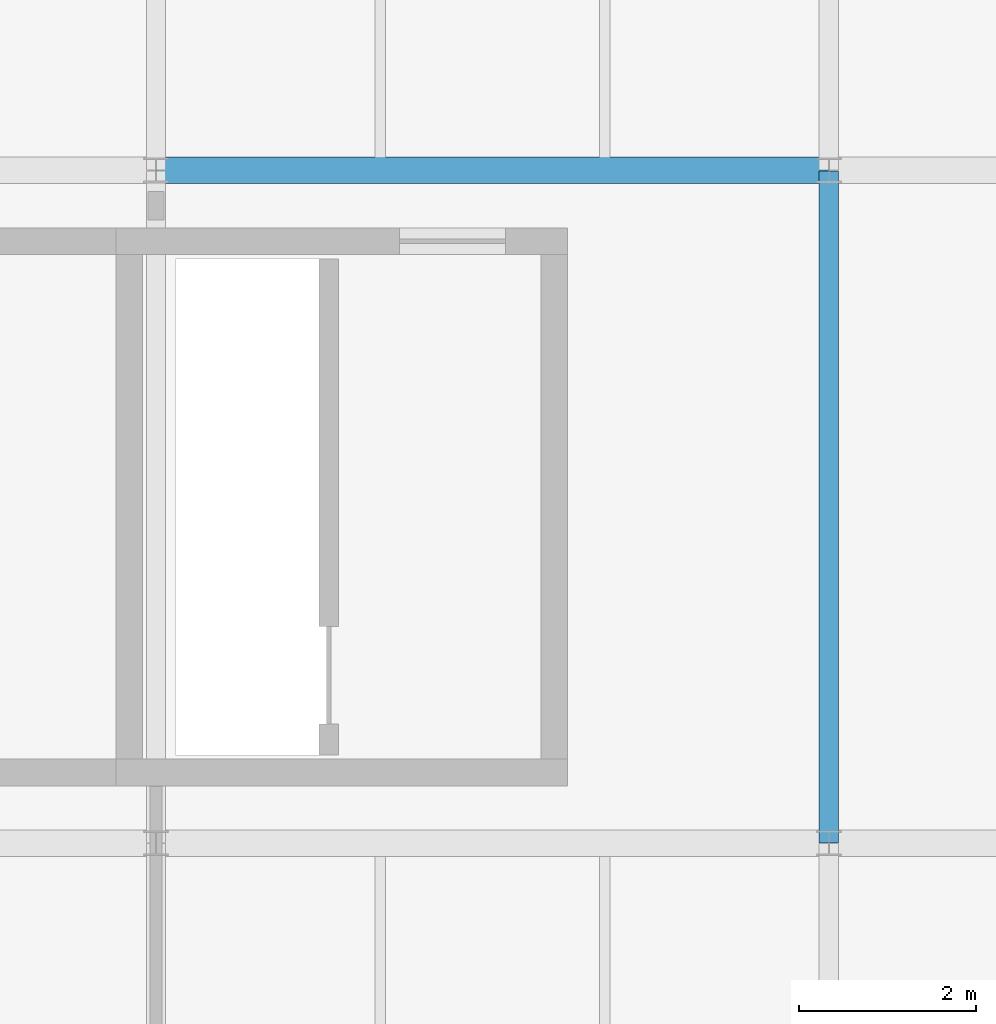
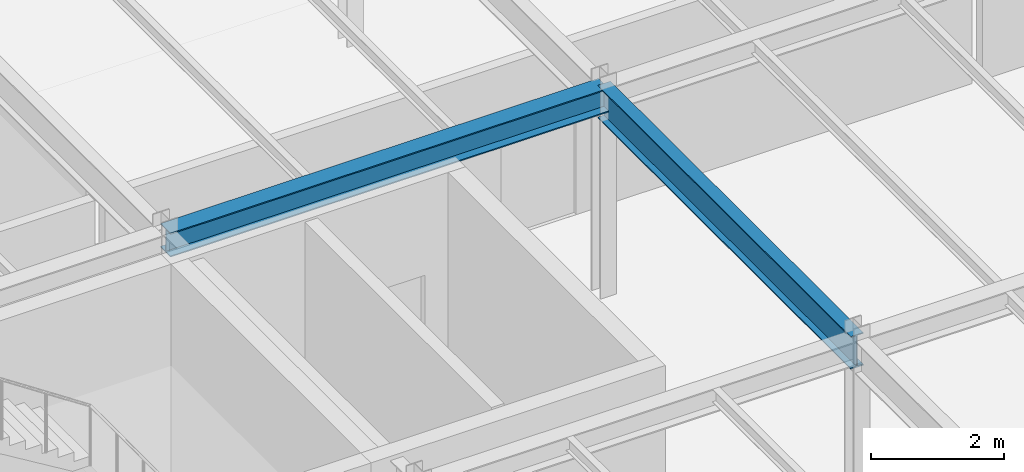
# One storey, part 27 of 165: 2 beams.
"""IFC4 building model written with IfcOpenShell, lengths in metres."""

import ifcopenshell
import ifcopenshell.guid

model = None  # the IFC model being written
_history = None  # IfcOwnerHistory: only IFC2X3 demands one
_inside = {}  # id of a spatial element -> (the spatial element, [elements in it])
_under = {}  # id of a project, library or spatial element -> (it, [spatial elements below it])
_declared = {}  # id of a project -> (the project, [libraries it declares])
_typed = {}  # id of a type object -> (the type object, [elements of that type])
_made_of = {}  # id of a material, layer set ... -> (it, [elements and type objects made of it])


def new_model(schema):
    """Start an empty IFC model of exactly this schema.

    Asked for "IFC4X3", IfcOpenShell would pick the latest addendum, in which some entities
    have other attributes; the version numbers below select the first issue.
    IFC2X3 requires an IfcOwnerHistory on every rooted entity: one is made here for all.
    """
    global model, _history
    if schema == "IFC4X3":
        model = ifcopenshell.file(schema_version=(4, 3, 0, 0))
    else:
        model = ifcopenshell.file(schema=schema)
    _inside.clear()
    _under.clear()
    _declared.clear()
    _typed.clear()
    _made_of.clear()
    _history = None
    if model.schema == "IFC2X3":
        org = make("IfcOrganization", Name="unknown")
        user = make(
            "IfcPersonAndOrganization",
            ThePerson=make("IfcPerson", FamilyName="unknown"),
            TheOrganization=org,
        )
        app = make(
            "IfcApplication",
            ApplicationDeveloper=org,
            Version="unknown",
            ApplicationFullName="unknown",
            ApplicationIdentifier="unknown",
        )
        _history = make(
            "IfcOwnerHistory",
            OwningUser=user,
            OwningApplication=app,
            ChangeAction="ADDED",
            CreationDate=0,
        )
    return model


def make(cls, **values):
    """One entity of the class cls with the attributes given. An attribute that is None is left unset."""
    return model.create_entity(
        cls, **{name: value for name, value in values.items() if value is not None}
    )


def rooted(cls, **values):
    """An entity with a GlobalId (a new one), such as an element, a storey or a relation."""
    return make(cls, GlobalId=ifcopenshell.guid.new(), OwnerHistory=_history, **values)


def si_unit(unit_type, name, prefix=None):
    """IfcSIUnit, for example si_unit("LENGTHUNIT", "METRE", prefix="MILLI")."""
    return make("IfcSIUnit", UnitType=unit_type, Prefix=prefix, Name=name)


def assignment(units):
    """IfcUnitAssignment: the units of a project."""
    return None if units is None else make("IfcUnitAssignment", Units=units)


def point(xyz):
    """IfcCartesianPoint."""
    return None if xyz is None else make("IfcCartesianPoint", Coordinates=xyz)


def direction(xyz):
    """IfcDirection."""
    return None if xyz is None else make("IfcDirection", DirectionRatios=xyz)


def frame(location, z_axis=None, x_axis=None):
    """IfcAxis2Placement3D, a coordinate frame: its origin and axes. An axis left out is left unset."""
    return make(
        "IfcAxis2Placement3D",
        Location=point(location),
        Axis=direction(z_axis),
        RefDirection=direction(x_axis),
    )


def frame_2d(location, x_axis=None):
    """IfcAxis2Placement2D, a coordinate frame in the plane: its origin and x axis."""
    return make(
        "IfcAxis2Placement2D", Location=point(location), RefDirection=direction(x_axis)
    )


def origin():
    """The frame at (0, 0, 0) with its axes left unset."""
    return frame((0.0, 0.0, 0.0))


def origin_2d():
    """The frame at (0, 0) in the plane with its x axis left unset."""
    return frame_2d((0.0, 0.0))


def place(relative_to, where):
    """IfcLocalPlacement: puts the frame where relative to a parent placement (None: the world)."""
    return make(
        "IfcLocalPlacement", PlacementRelTo=relative_to, RelativePlacement=where
    )


def context(
    kind, dimensions, precision=None, world=None, true_north=None, identifier=None
):
    """IfcGeometricRepresentationContext, for example the 3D "Model" context."""
    return make(
        "IfcGeometricRepresentationContext",
        ContextIdentifier=identifier,
        ContextType=kind,
        CoordinateSpaceDimension=dimensions,
        Precision=precision,
        WorldCoordinateSystem=world,
        TrueNorth=true_north,
    )


def subcontext(parent, identifier, kind, view, scale=None):
    """IfcGeometricRepresentationSubContext, for example "Body" below "Model"."""
    return make(
        "IfcGeometricRepresentationSubContext",
        ContextIdentifier=identifier,
        ContextType=kind,
        ParentContext=parent,
        TargetScale=scale,
        TargetView=view,
    )


def project(units=None, contexts=None):
    """IfcProject with its units and contexts."""
    return rooted(
        "IfcProject",
        Name="project",
        RepresentationContexts=contexts,
        UnitsInContext=assignment(units),
    )


def spatial(cls, under=None, at=None, **own):
    """A site, building, storey or space (cls), placed at a placement, below another one or the project."""
    s = rooted(cls, ObjectPlacement=at, **own)
    if under is not None:
        _under.setdefault(under.id(), (under, []))[1].append(s)
    return s


def profile(cls, at=None, kind="AREA", **sizes):
    """A parametric profile (cls). Its sizes go by their IFC names, for example OverallWidth=200.0."""
    return make(cls, ProfileType=kind, Position=at, **sizes)


def i_section(**sizes):
    """IfcIShapeProfileDef."""
    return profile("IfcIShapeProfileDef", **sizes)


def extrude(swept, where, along, depth):
    """IfcExtrudedAreaSolid: the profile swept, set in the frame where, extruded along a direction by depth."""
    return make(
        "IfcExtrudedAreaSolid",
        SweptArea=swept,
        Position=where,
        ExtrudedDirection=direction(along),
        Depth=depth,
    )


def shape(context_of_items, identifier, shape_type, items):
    """IfcShapeRepresentation: the items that make up one representation, for example the "Body"."""
    return make(
        "IfcShapeRepresentation",
        ContextOfItems=context_of_items,
        RepresentationIdentifier=identifier,
        RepresentationType=shape_type,
        Items=items,
    )


def material(Name=None, Category=None):
    """IfcMaterial."""
    return make("IfcMaterial", Name=Name, Category=Category)


def material_profile(
    of_material, cross_section, Name=None, Category=None, Priority=None
):
    """IfcMaterialProfile: a cross section and its material."""
    return make(
        "IfcMaterialProfile",
        Name=Name,
        Material=of_material,
        Profile=cross_section,
        Priority=Priority,
        Category=Category,
    )


def profile_set(profiles, Name=None, composite=None):
    """IfcMaterialProfileSet."""
    return make(
        "IfcMaterialProfileSet",
        Name=Name,
        MaterialProfiles=profiles,
        CompositeProfile=composite,
    )


def made_of(thing, what):
    """Note that an element or type object is made of a material, layer set ...; save() writes the relation."""
    if what is not None:
        _made_of.setdefault(what.id(), (what, []))[1].append(thing)
    return thing


def type_object(cls, material=None, **own):
    """A type object (cls), such as IfcWallType, which elements share."""
    return made_of(rooted(cls, **own), material)


def element(
    cls,
    number,
    at=None,
    inside=None,
    cuts=None,
    type_object=None,
    material=None,
    context=None,
    identifier="Body",
    shape_type=None,
    held_by="IfcProductDefinitionShape",
    body=None,
    shapes=None,
    **own,
):
    """One element of the class cls, such as IfcWall. Its Tag is "e" and its number.

    at: its placement. inside: the storey or other place that contains it. cuts: it is an
    opening in that element (IfcRelVoidsElement). A single representation is given by context,
    identifier, shape_type and body (its items); several are given by shapes. held_by: the class
    of the entity that holds the representations. save() writes the other relations.
    """
    e = rooted(cls, Tag="e%d" % number, ObjectPlacement=at, **own)
    if body is not None:
        shapes = [shape(context, identifier, shape_type, body)]
    if shapes is not None:
        e.Representation = make(held_by, Representations=shapes)
    if inside is not None:
        _inside.setdefault(inside.id(), (inside, []))[1].append(e)
    if cuts is not None:
        rooted(
            "IfcRelVoidsElement", RelatingBuildingElement=cuts, RelatedOpeningElement=e
        )
    if type_object is not None:
        _typed.setdefault(type_object.id(), (type_object, []))[1].append(e)
    return made_of(e, material)


def aggregate(whole, parts):
    """IfcRelAggregates: a whole, such as a stair, and the parts it consists of."""
    return rooted("IfcRelAggregates", RelatingObject=whole, RelatedObjects=parts)


def save(model, path):
    """Write the relations noted so far, then the file.

    IfcRelAggregates (storeys below a building ...), IfcRelContainedInSpatialStructure (elements
    in a storey), IfcRelDefinesByType, IfcRelAssociatesMaterial and IfcRelDeclares: one each for
    every whole, place, type object, material and project.
    """
    for whole, parts in _under.values():
        aggregate(whole, parts)
    for where, things in _inside.values():
        rooted(
            "IfcRelContainedInSpatialStructure",
            RelatedElements=things,
            RelatingStructure=where,
        )
    for kind, things in _typed.values():
        rooted("IfcRelDefinesByType", RelatedObjects=things, RelatingType=kind)
    for what, things in _made_of.values():
        rooted("IfcRelAssociatesMaterial", RelatedObjects=things, RelatingMaterial=what)
    for by, libraries in _declared.values():
        rooted("IfcRelDeclares", RelatingContext=by, RelatedDefinitions=libraries)
    model.write(path)


model = new_model("IFC4")

# Units and contexts
model_context = context("Model", 3, precision=1e-05, world=origin(), true_north=direction((0.0, 1.0)))
body_context = subcontext(model_context, "Body", "Model", "MODEL_VIEW")
ifc_project = project(units=[si_unit("LENGTHUNIT", "METRE"), si_unit("AREAUNIT", "SQUARE_METRE"), si_unit("VOLUMEUNIT", "CUBIC_METRE"), si_unit("PLANEANGLEUNIT", "RADIAN"), si_unit("MASSUNIT", "GRAM", prefix="KILO")], contexts=[model_context])

# Site, building, storey
site_placement = place(None, origin())
site = spatial("IfcSite", under=ifc_project, at=site_placement, CompositionType="ELEMENT")
building_placement = place(site_placement, origin())
building = spatial("IfcBuilding", under=site, at=building_placement, Name="Montecoro Central Library", CompositionType="ELEMENT")
storey_placement = place(building_placement, frame((0.0, 0.0, 5.10009765625)))
storey = spatial("IfcBuildingStorey", under=building, at=storey_placement, Name="L01", CompositionType="ELEMENT", Elevation=5.10009765625)

# Beams
ifc_material = material(Name="Steel S355J2", Category="steel")
ifc_material_profile_1 = material_profile(ifc_material, i_section(OverallWidth=0.300048828125, OverallDepth=0.43994140625, WebThickness=0.011474609375, FlangeThickness=0.02099609375, at=origin_2d()), Name="HEA 450")
ifc_profile_set_1 = profile_set([ifc_material_profile_1], Name="Steel S355J2")
beam_type_1 = type_object("IfcBeamType", Name="BM-G-HEA450", PredefinedType="USERDEFINED", material=ifc_profile_set_1)
beam_1_placement = place(storey_placement, frame((12.60498046875, 20.199951171875, 3.60498046875), z_axis=(1.0, 0.0, 0.0), x_axis=(0.0, 1.0, 0.0)))
element("IfcBeam", 1, at=beam_1_placement, inside=storey, type_object=beam_type_1, Name="V3-L01-BX-23-C", ObjectType="GIRDER", PredefinedType="USERDEFINED", context=body_context, shape_type="SweptSolid", body=[
    extrude(i_section(OverallWidth=0.300048828125, OverallDepth=0.43994140625, WebThickness=0.011474609375, FlangeThickness=0.02099609375, at=origin_2d()), origin(), (0.0, 0.0, 1.0), 7.590087890625),
])
ifc_material_profile_2 = material_profile(ifc_material, i_section(OverallWidth=0.219970703125, OverallDepth=0.60009765625, WebThickness=0.011962890625, FlangeThickness=0.01904296875, at=origin_2d()), Name="IPE 600")
ifc_profile_set_2 = profile_set([ifc_material_profile_2], Name="Steel S355J2")
beam_type_2 = type_object("IfcBeamType", Name="BM-G-IPE600", PredefinedType="USERDEFINED", material=ifc_profile_set_2)
beam_2_placement = place(storey_placement, frame((20.199951171875, 12.60498046875, 3.52490234375), z_axis=(0.0, 1.0, 0.0), x_axis=(-1.0, 0.0, 0.0)))
element("IfcBeam", 2, at=beam_2_placement, inside=storey, type_object=beam_type_2, Name="V3-L01-BY-3-BC", ObjectType="GIRDER", PredefinedType="USERDEFINED", context=body_context, shape_type="SweptSolid", body=[
    extrude(i_section(OverallWidth=0.219970703125, OverallDepth=0.60009765625, WebThickness=0.011962890625, FlangeThickness=0.01904296875, at=origin_2d()), origin(), (0.0, 0.0, 1.0), 7.590087890625),
])

save(model, "model.ifc")
